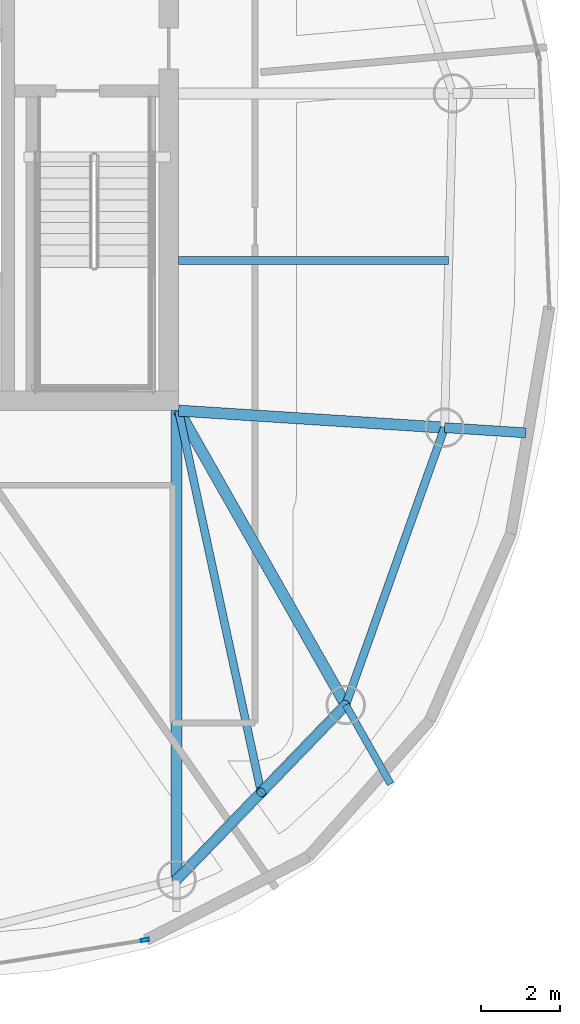
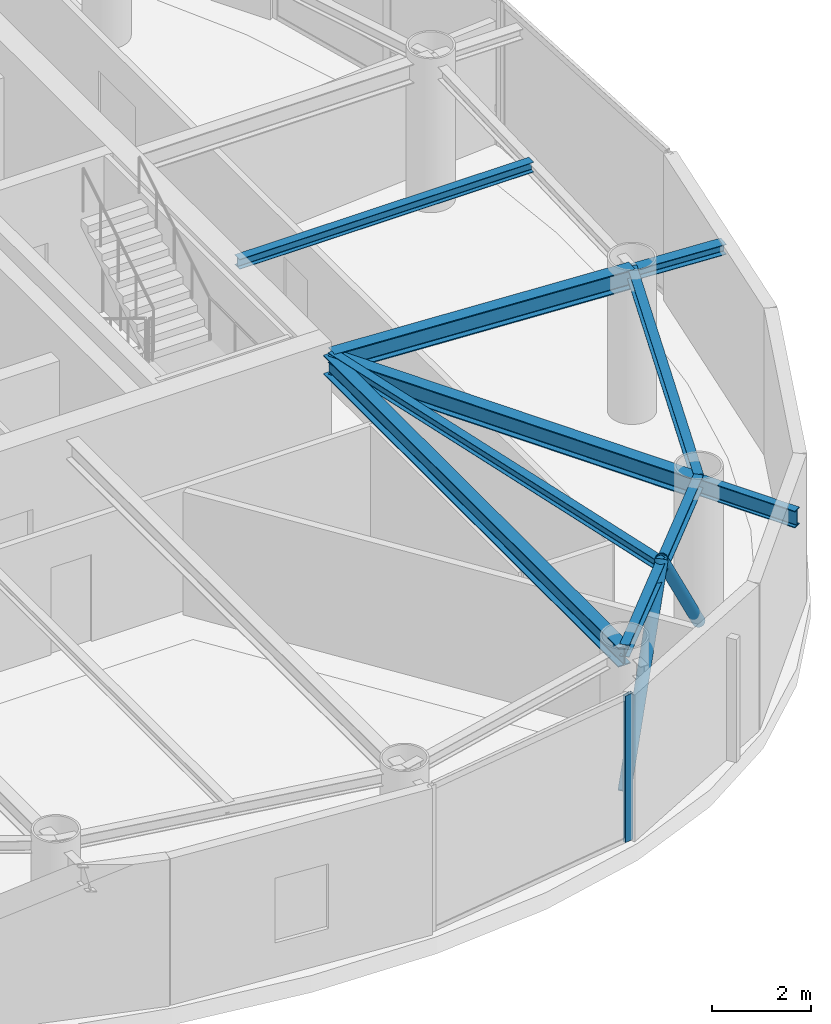
# One storey, part 8 of 20: 9 beams, 3 members, 1 element without a shape of its own.
"""IFC4 building model written with IfcOpenShell, lengths in metres."""

from ifc_helpers import new_model, si_unit, direction, frame, origin, origin_2d, place, context, subcontext, project, spatial, hollow_rectangle, hollow_circle, i_section, extrude, material, layer, layer_set, material_profile, profile_set, type_object, element, aggregate, save


model = new_model("IFC4")

# Units and contexts
model_context = context("Model", 3, precision=1e-05, world=origin(), true_north=direction((0.0, 1.0)))
body_context = subcontext(model_context, "Body", "Model", "MODEL_VIEW")
ifc_project = project(units=[si_unit("LENGTHUNIT", "METRE"), si_unit("AREAUNIT", "SQUARE_METRE"), si_unit("VOLUMEUNIT", "CUBIC_METRE"), si_unit("PLANEANGLEUNIT", "RADIAN"), si_unit("MASSUNIT", "GRAM", prefix="KILO")], contexts=[model_context])

# Site, building, storey
site_placement = place(None, origin())
site = spatial("IfcSite", under=ifc_project, at=site_placement, CompositionType="ELEMENT")
building_placement = place(site_placement, origin())
building = spatial("IfcBuilding", under=site, at=building_placement, Name="Bramvorn Convention Spire", CompositionType="ELEMENT")
storey_placement = place(building_placement, frame((0.0, 0.0, 242.050048828125)))
storey = spatial("IfcBuildingStorey", under=building, at=storey_placement, Name="L61", CompositionType="ELEMENT", Elevation=242.050048828125)

# Beams
ifc_material_1 = material(Name="Steel CSA G40.21 Grade 350 (350W)", Category="steel")
ifc_material_profile_1 = material_profile(ifc_material_1, i_section(OverallWidth=0.201904296875, OverallDepth=0.2470703125, WebThickness=0.00732421875, FlangeThickness=0.010986328125, FilletRadius=0.011962890625, at=origin_2d()))
ifc_profile_set_1 = profile_set([ifc_material_profile_1], Name="Steel CSA G40.21 Grade 350 (350W) - W250X49")
beam_type_1 = type_object("IfcBeamType", Name="BM-W250X49", PredefinedType="JOIST", material=ifc_profile_set_1)
beam_1_placement = place(storey_placement, frame((49.25, 18.550048828125, 3.50146484375), z_axis=(0.211461445939, -0.977386339623, 0.0), x_axis=(0.977386339623, 0.211461445939, 0.0)))
element("IfcBeam", 1, at=beam_1_placement, inside=storey, type_object=beam_type_1, Name="L61 composite floor joist 01", PredefinedType="JOIST", context=body_context, shape_type="SweptSolid", body=[
    extrude(i_section(OverallWidth=0.201904296875, OverallDepth=0.2470703125, WebThickness=0.00732421875, FlangeThickness=0.010986328125, FilletRadius=0.011962890625, at=origin_2d()), origin(), (0.0, 0.0, 1.0), 9.9462890625),
])
beam_2_placement = place(storey_placement, frame((49.25, 22.373046875, 3.50146484375), z_axis=(1.0, 0.0, 0.0), x_axis=(0.0, 1.0, 0.0)))
element("IfcBeam", 2, at=beam_2_placement, inside=storey, type_object=beam_type_1, Name="L61 composite floor joist 03", PredefinedType="JOIST", context=body_context, shape_type="SweptSolid", body=[
    extrude(i_section(OverallWidth=0.201904296875, OverallDepth=0.2470703125, WebThickness=0.00732421875, FlangeThickness=0.010986328125, FilletRadius=0.011962890625, at=origin_2d()), origin(), (0.0, 0.0, 1.0), 6.879150390625),
])
ifc_material_profile_2 = material_profile(ifc_material_1, i_section(OverallWidth=0.25390625, OverallDepth=0.2529296875, WebThickness=0.008544921875, FlangeThickness=0.01416015625, FilletRadius=0.011962890625, at=origin_2d()))
ifc_profile_set_2 = profile_set([ifc_material_profile_2], Name="Steel CSA G40.21 Grade 350 (350W) - W250X73")
beam_type_2 = type_object("IfcBeamType", Name="BM-W250X73", PredefinedType="BEAM", material=ifc_profile_set_2)
beam_3_placement = place(storey_placement, frame((56.023681640625, 18.116455078125, 3.45849609375), z_axis=(0.997956169233, -0.063902146214, 0.0), x_axis=(0.063902146214, 0.997956169233, 0.0)))
element("IfcBeam", 3, at=beam_3_placement, inside=storey, type_object=beam_type_2, Name="L61 slab-edge cantilever tip beam MC03", PredefinedType="BEAM", context=body_context, shape_type="SweptSolid", body=[
    extrude(i_section(OverallWidth=0.25390625, OverallDepth=0.2529296875, WebThickness=0.008544921875, FlangeThickness=0.01416015625, FilletRadius=0.011962890625, at=origin_2d()), origin(), (0.0, 0.0, 1.0), 2.074462890625),
])
ifc_material_profile_3 = material_profile(ifc_material_1, i_section(OverallWidth=0.202880859375, OverallDepth=0.302978515625, WebThickness=0.007568359375, FlangeThickness=0.01318359375, FilletRadius=0.013916015625, at=origin_2d()))
ifc_profile_set_3 = profile_set([ifc_material_profile_3], Name="Steel CSA G40.21 Grade 350 (350W) - W310X60")
beam_type_3 = type_object("IfcBeamType", Name="BM-W310X60", PredefinedType="JOIST", material=ifc_profile_set_3)
beam_4_placement = place(storey_placement, frame((49.199951171875, 6.60107421875, 3.473388671875), z_axis=(0.695007159797, 0.719002814898, 0.0), x_axis=(-0.719002814898, 0.695007159797, 0.0)))
element("IfcBeam", 4, at=beam_4_placement, inside=storey, type_object=beam_type_3, Name="L61 mega-column ring beam 01", PredefinedType="JOIST", context=body_context, shape_type="SweptSolid", body=[
    extrude(i_section(OverallWidth=0.202880859375, OverallDepth=0.302978515625, WebThickness=0.007568359375, FlangeThickness=0.01318359375, FilletRadius=0.013916015625, at=origin_2d()), origin(), (0.0, 0.0, 1.0), 6.1962890625),
])
beam_5_placement = place(storey_placement, frame((53.50634765625, 11.05615234375, 3.473388671875), z_axis=(0.335839090413, 0.941919373063, 0.0), x_axis=(-0.941919373063, 0.335839090413, 0.0)))
element("IfcBeam", 5, at=beam_5_placement, inside=storey, type_object=beam_type_3, Name="L61 mega-column ring beam 02", PredefinedType="JOIST", context=body_context, shape_type="SweptSolid", body=[
    extrude(i_section(OverallWidth=0.202880859375, OverallDepth=0.302978515625, WebThickness=0.007568359375, FlangeThickness=0.01318359375, FilletRadius=0.013916015625, at=origin_2d()), origin(), (0.0, 0.0, 1.0), 7.49560546875),
])
ifc_material_profile_4 = material_profile(ifc_material_1, i_section(OverallWidth=0.180908203125, OverallDepth=0.4169921875, WebThickness=0.010986328125, FlangeThickness=0.018310546875, FilletRadius=0.01611328125, at=origin_2d()))
ifc_profile_set_4 = profile_set([ifc_material_profile_4], Name="Steel CSA G40.21 Grade 350 (350W) - W410X85")
beam_type_4 = type_object("IfcBeamType", Name="BM-W410X85", PredefinedType="JOIST", material=ifc_profile_set_4)
beam_6_placement = place(storey_placement, frame((53.50634765625, 11.05615234375, 3.37646484375), z_axis=(0.493911575131, -0.869512136748, 0.0), x_axis=(0.869512136748, 0.493911575131, 0.0)))
element("IfcBeam", 6, at=beam_6_placement, inside=storey, type_object=beam_type_4, Name="L61 Sky-Garden cantilever tip girder MC02", PredefinedType="JOIST", context=body_context, shape_type="SweptSolid", body=[
    extrude(i_section(OverallWidth=0.180908203125, OverallDepth=0.4169921875, WebThickness=0.010986328125, FlangeThickness=0.018310546875, FilletRadius=0.01611328125, at=origin_2d()), origin(), (0.0, 0.0, 1.0), 2.315185546875),
])
ifc_material_profile_5 = material_profile(ifc_material_1, i_section(OverallWidth=0.283935546875, OverallDepth=0.47607421875, WebThickness=0.014892578125, FlangeThickness=0.02392578125, FilletRadius=0.01806640625, at=origin_2d()))
ifc_profile_set_5 = profile_set([ifc_material_profile_5], Name="Steel CSA G40.21 Grade 350 (350W) - W460X158")
beam_type_5 = type_object("IfcBeamType", Name="BM-W460X158", PredefinedType="SPANDREL", material=ifc_profile_set_5)
beam_7_placement = place(storey_placement, frame((49.199951171875, 18.550048828125, 3.346923828125), z_axis=(0.0, -1.0, 0.0), x_axis=(1.0, 0.0, 0.0)))
element("IfcBeam", 7, at=beam_7_placement, inside=storey, type_object=beam_type_5, Name="L61 Sky-Garden back-span radial girder MC01", PredefinedType="SPANDREL", context=body_context, shape_type="SweptSolid", body=[
    extrude(i_section(OverallWidth=0.283935546875, OverallDepth=0.47607421875, WebThickness=0.014892578125, FlangeThickness=0.02392578125, FilletRadius=0.01806640625, at=origin_2d()), origin(), (0.0, 0.0, 1.0), 11.948974609375),
])
beam_8_placement = place(storey_placement, frame((49.25, 18.550048828125, 3.346923828125), z_axis=(0.493873612118, -0.869533699895, 0.0), x_axis=(0.869533699895, 0.493873612118, 0.0)))
element("IfcBeam", 8, at=beam_8_placement, inside=storey, type_object=beam_type_5, Name="L61 Sky-Garden back-span radial girder MC02", PredefinedType="SPANDREL", context=body_context, shape_type="SweptSolid", body=[
    extrude(i_section(OverallWidth=0.283935546875, OverallDepth=0.47607421875, WebThickness=0.014892578125, FlangeThickness=0.02392578125, FilletRadius=0.01806640625, at=origin_2d()), origin(), (0.0, 0.0, 1.0), 8.618408203125),
])
beam_9_placement = place(storey_placement, frame((49.25, 18.550048828125, 3.386962890625), z_axis=(0.997957536354, -0.063880792379, 0.0), x_axis=(0.063880792379, 0.997957536354, 0.0)))
element("IfcBeam", 9, at=beam_9_placement, inside=storey, type_object=beam_type_5, Name="L61 radial floor girder MC03", PredefinedType="SPANDREL", context=body_context, shape_type="SweptSolid", body=[
    extrude(i_section(OverallWidth=0.283935546875, OverallDepth=0.47607421875, WebThickness=0.014892578125, FlangeThickness=0.02392578125, FilletRadius=0.01806640625, at=origin_2d()), origin(), (0.0, 0.0, 1.0), 6.78759765625),
])

# Curtain wall, member
ifc_material_2 = material(Name="Anodised Bronze Unitised Curtain Wall", Category="aluminium")
ifc_layer = layer(ifc_material_2, 0.179931640625)
ifc_layer_set = layer_set([ifc_layer], Name="Anodised Bronze Unitised Curtain Wall - CW-OFF-FRIT")
curtain_wall_type = type_object("IfcCurtainWallType", Name="CW-OFF-FRIT", PredefinedType="USERDEFINED", material=ifc_layer_set)
curtain_wall_placement = place(storey_placement, origin())
curtain_wall = element("IfcCurtainWall", 10, at=curtain_wall_placement, inside=storey, type_object=curtain_wall_type, Name="L61 fritted glass curtain wall 23", ObjectType="UNITISED CURTAIN WALL", PredefinedType="USERDEFINED")
ifc_material_3 = material(Name="Anodised Bronze Aluminium 6063-T6", Category="aluminium")
ifc_material_profile_6 = material_profile(ifc_material_3, hollow_rectangle(XDim=0.080078125, YDim=0.199951171875, WallThickness=0.00390625, InnerFilletRadius=0.0009765625, OuterFilletRadius=0.00390625, at=origin_2d()))
ifc_profile_set_6 = profile_set([ifc_material_profile_6], Name="Anodised Bronze Aluminium 6063-T6 - CWM80X200")
member_type_1 = type_object("IfcMemberType", Name="CW-MUL-180", PredefinedType="MULLION", material=ifc_profile_set_6)
member_placement = place(storey_placement, frame((48.392822265625, 5.066650390625, 0.0), z_axis=(0.0, 0.0, 1.0), x_axis=(0.155484664297, -0.987838306186, 0.0)))
member = element("IfcMember", 11, at=member_placement, type_object=member_type_1, Name="CW3 mullion 1", PredefinedType="MULLION", context=body_context, shape_type="SweptSolid", body=[
    extrude(hollow_rectangle(XDim=0.080078125, YDim=0.199951171875, WallThickness=0.00390625, InnerFilletRadius=0.0009765625, OuterFilletRadius=0.00390625, at=origin_2d()), origin(), (0.0, 0.0, 1.0), 3.625),
])
aggregate(curtain_wall, [member])

# Members
ifc_material_profile_7 = material_profile(ifc_material_1, hollow_circle(Radius=0.136474609375, WallThickness=0.0126953125, at=origin_2d()))
ifc_profile_set_7 = profile_set([ifc_material_profile_7], Name="Steel CSA G40.21 Grade 350 (350W) - CHS273X13")
member_type_2 = type_object("IfcMemberType", Name="MBR-CHS273X13", PredefinedType="BRACE", material=ifc_profile_set_7)
for number, where, z_axis, x_axis, name in (
    (12, (49.199951171875, 6.60107421875, 0.0), (0.451564377753, 0.467128501431, 0.760184566993), (-0.718983125626, 0.695027528279, 0.0), "L61 perimeter Gothic lancet brace 1A"),
    (13, (53.50634765625, 11.05615234375, 0.0), (-0.451523618323, -0.46713930078, 0.760202141383), (0.719022504671, -0.694986789642, 0.0), "L61 perimeter Gothic lancet brace 1B"),
):
    element("IfcMember", number, at=place(storey_placement, frame(where, z_axis=z_axis, x_axis=x_axis)), inside=storey, type_object=member_type_2, Name=name, PredefinedType="BRACE", context=body_context, shape_type="SweptSolid", body=[
        extrude(hollow_circle(Radius=0.136474609375, WallThickness=0.0126953125, at=origin_2d()), origin(), (0.0, 0.0, 1.0), 4.7685546875),
    ])

save(model, "model.ifc")
